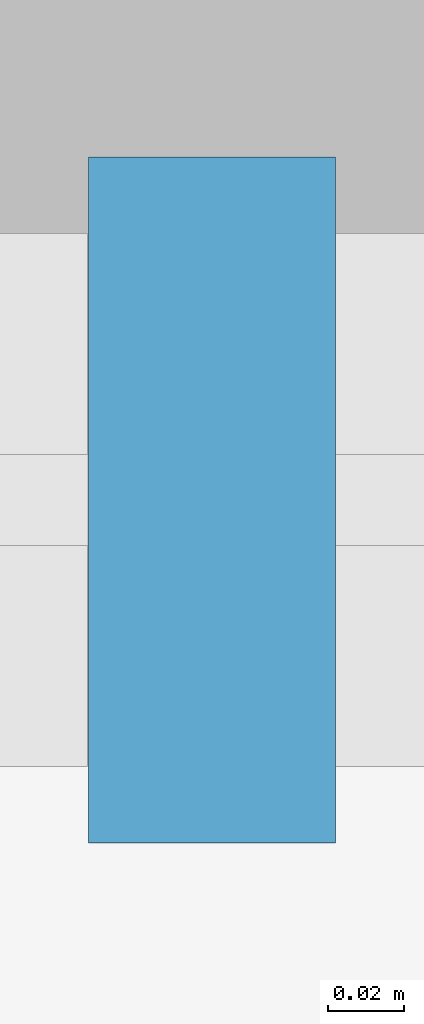
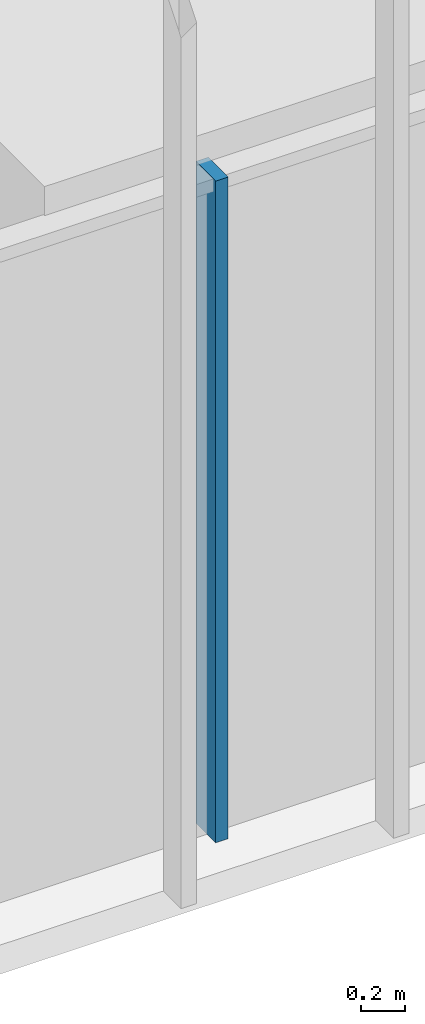
# One storey, part 30 of 256: 1 member, 1 element without a shape of its own.
"""IFC4 building model written with IfcOpenShell, lengths in metres."""

from ifc_helpers import new_model, si_unit, direction, frame, origin, origin_2d, place, context, subcontext, project, spatial, rectangle, extrude, material, material_profile, profile_set, type_object, element, aggregate, save


model = new_model("IFC4")

# Units and contexts
model_context = context("Model", 3, precision=1e-05, world=origin(), true_north=direction((0.0, 1.0)))
body_context = subcontext(model_context, "Body", "Model", "MODEL_VIEW")
ifc_project = project(units=[si_unit("LENGTHUNIT", "METRE"), si_unit("AREAUNIT", "SQUARE_METRE"), si_unit("VOLUMEUNIT", "CUBIC_METRE"), si_unit("PLANEANGLEUNIT", "RADIAN"), si_unit("MASSUNIT", "GRAM", prefix="KILO")], contexts=[model_context])

# Site, building, storey
site_placement = place(None, origin())
site = spatial("IfcSite", under=ifc_project, at=site_placement, CompositionType="ELEMENT")
building_placement = place(site_placement, origin())
building = spatial("IfcBuilding", under=site, at=building_placement, Name="Sandreach Pilgrim Tower", CompositionType="ELEMENT")
storey_placement = place(building_placement, frame((0.0, 0.0, 23.0)))
storey = spatial("IfcBuildingStorey", under=building, at=storey_placement, Name="L04", CompositionType="ELEMENT", Elevation=23.0)

# Curtain wall, member
ifc_material_1 = material(Name="Aluminium framed curtain wall", Category="aluminium")
curtain_wall_type = type_object("IfcCurtainWallType", Name="Hostel tower curtain wall", PredefinedType="NOTDEFINED", material=ifc_material_1)
curtain_wall_placement = place(storey_placement, origin())
curtain_wall = element("IfcCurtainWall", 1, at=curtain_wall_placement, inside=storey, type_object=curtain_wall_type, Name="CW-1 L04 S", PredefinedType="NOTDEFINED")
ifc_material_2 = material(Name="Aluminium extrusion", Category="aluminium")
ifc_material_profile = material_profile(ifc_material_2, rectangle(XDim=0.06494140625, YDim=0.179931640625, at=origin_2d()), Name="CW-1M 65X180")
ifc_profile_set = profile_set([ifc_material_profile], Name="Aluminium extrusion")
member_type = type_object("IfcMemberType", Name="CW-1 mullion", PredefinedType="MULLION", material=ifc_profile_set)
member_placement = place(storey_placement, frame((-4.5859375, -30.010986328125, 0.0), z_axis=(0.0, 0.0, 1.0), x_axis=(-1.0, 0.0, 0.0)))
member = element("IfcMember", 2, at=member_placement, type_object=member_type, Name="CW-1 mullion 4", PredefinedType="MULLION", context=body_context, shape_type="SweptSolid", body=[
    extrude(rectangle(XDim=0.06494140625, YDim=0.179931640625, at=origin_2d()), origin(), (0.0, 0.0, 1.0), 3.639892578125),
])
aggregate(curtain_wall, [member])

save(model, "model.ifc")
